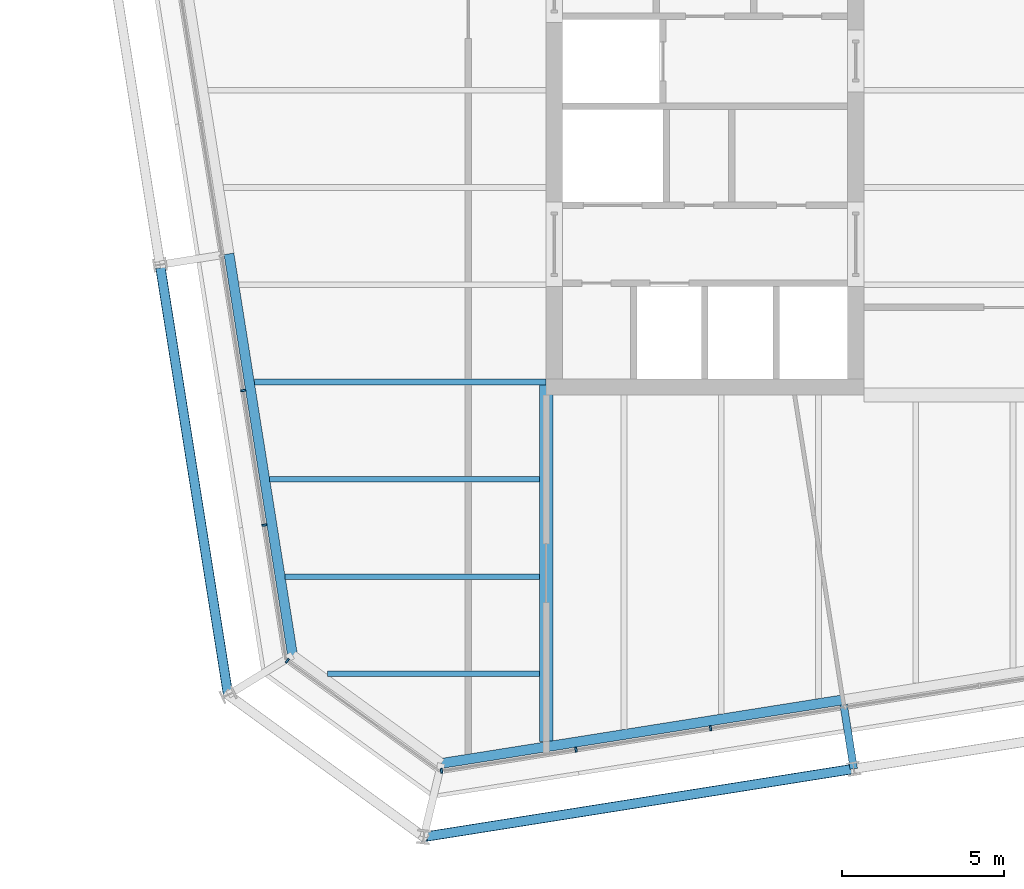
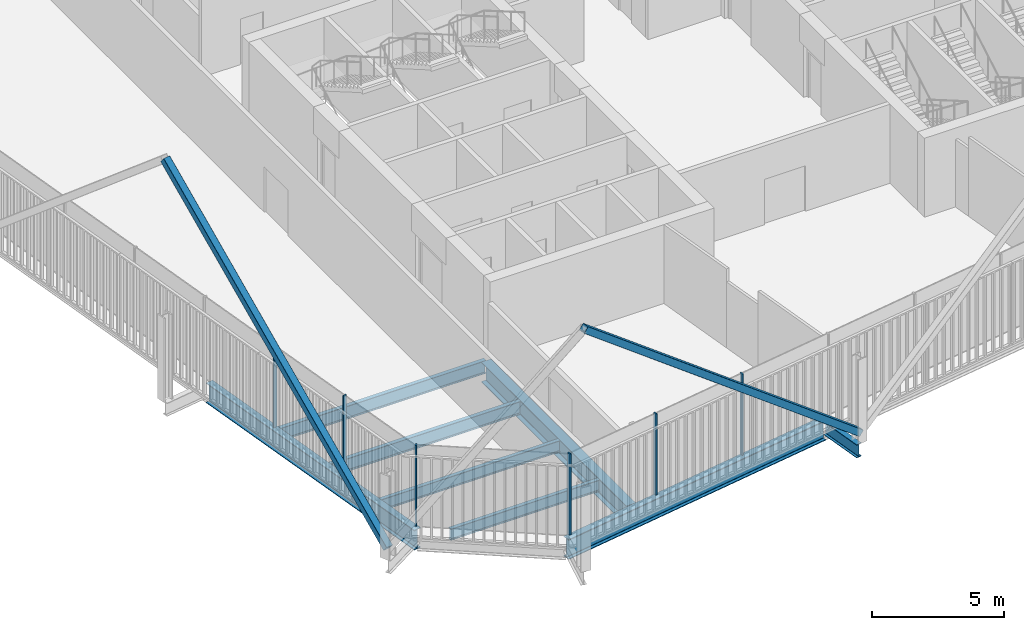
# One storey, part 2 of 21: 8 beams, 8 members, 3 elements without a shape of their own.
"""IFC4 building model written with IfcOpenShell, lengths in metres."""

from ifc_helpers import new_model, si_unit, direction, frame, origin, origin_2d, place, context, subcontext, project, spatial, rectangle, hollow_rectangle, i_section, extrude, material, layer, layer_set, material_profile, profile_set, type_object, element, aggregate, save


model = new_model("IFC4")

# Units and contexts
model_context = context("Model", 3, precision=1e-05, world=origin(), true_north=direction((0.0, 1.0)))
body_context = subcontext(model_context, "Body", "Model", "MODEL_VIEW")
ifc_project = project(units=[si_unit("LENGTHUNIT", "METRE"), si_unit("AREAUNIT", "SQUARE_METRE"), si_unit("VOLUMEUNIT", "CUBIC_METRE"), si_unit("PLANEANGLEUNIT", "RADIAN"), si_unit("MASSUNIT", "GRAM", prefix="KILO")], contexts=[model_context])

# Site, building, storey
site_placement = place(None, origin())
site = spatial("IfcSite", under=ifc_project, at=site_placement, CompositionType="ELEMENT")
building_placement = place(site_placement, origin())
building = spatial("IfcBuilding", under=site, at=building_placement, Name="Millrace Tower", CompositionType="ELEMENT")
storey_placement = place(building_placement, frame((0.0, 0.0, 235.89990234375)))
storey = spatial("IfcBuildingStorey", under=building, at=storey_placement, Name="L54", CompositionType="ELEMENT", Elevation=235.89990234375)

# Curtain wall, member
ifc_material_1 = material(Name="Aluminium and glass", Category="aluminium")
ifc_layer = layer(ifc_material_1, 0.14990234375)
ifc_layer_set = layer_set([ifc_layer], Name="Aluminium and glass")
curtain_wall_type = type_object("IfcCurtainWallType", Name="CW-1 office vision curtain wall", PredefinedType="NOTDEFINED", material=ifc_layer_set)
placement = place(storey_placement, origin())
curtain_wall_1 = element("IfcCurtainWall", 1, at=placement, inside=storey, type_object=curtain_wall_type, Name="Curtain wall D-F01 L54", PredefinedType="NOTDEFINED")
ifc_material_2 = material(Name="Aluminium", Category="aluminium")
ifc_material_profile_1 = material_profile(ifc_material_2, rectangle(XDim=0.06494140625, YDim=0.14990234375, at=origin_2d()))
ifc_profile_set_1 = profile_set([ifc_material_profile_1], Name="Aluminium")
member_type_1 = type_object("IfcMemberType", Name="CW-1 office vision curtain wall mullion", PredefinedType="MULLION", material=ifc_profile_set_1)
member_1_placement = place(storey_placement, frame((-22.3779296875, -17.594970703125, 0.14013671875), z_axis=(0.0, 0.0, 1.0), x_axis=(0.809016955361, -0.587785305991, 0.0)))
member_1 = element("IfcMember", 2, at=member_1_placement, type_object=member_type_1, Name="CW1 mullion D-F01.1", PredefinedType="MULLION", context=body_context, shape_type="SweptSolid", body=[
    extrude(rectangle(XDim=0.06494140625, YDim=0.14990234375, at=origin_2d()), origin(), (0.0, 0.0, 1.0), 3.760009765625),
])
aggregate(curtain_wall_1, [member_1])

# Curtain wall, members
curtain_wall_2 = element("IfcCurtainWall", 3, at=placement, inside=storey, type_object=curtain_wall_type, Name="Curtain wall D-F02 L54", PredefinedType="NOTDEFINED")
member_2_placement = place(storey_placement, frame((-17.62548828125, -20.992431640625, 0.14013671875), z_axis=(0.0, 0.0, 1.0), x_axis=(0.987688339511, 0.156434471884, 0.0)))
member_2 = element("IfcMember", 4, at=member_2_placement, type_object=member_type_1, Name="CW1 mullion D-F02.1", PredefinedType="MULLION", context=body_context, shape_type="SweptSolid", body=[
    extrude(rectangle(XDim=0.06494140625, YDim=0.14990234375, at=origin_2d()), origin(), (0.0, 0.0, 1.0), 3.760009765625),
])
member_3_placement = place(storey_placement, frame((-13.477294921875, -20.33544921875, 0.14013671875), z_axis=(0.0, 0.0, 1.0), x_axis=(0.987688339511, 0.156434471884, 0.0)))
member_3 = element("IfcMember", 5, at=member_3_placement, type_object=member_type_1, Name="CW1 mullion D-F02.2", PredefinedType="MULLION", context=body_context, shape_type="SweptSolid", body=[
    extrude(rectangle(XDim=0.06494140625, YDim=0.14990234375, at=origin_2d()), origin(), (0.0, 0.0, 1.0), 3.760009765625),
])
member_4_placement = place(storey_placement, frame((-9.328857421875, -19.678466796875, 0.14013671875), z_axis=(0.0, 0.0, 1.0), x_axis=(0.987688339511, 0.156434471884, 0.0)))
member_4 = element("IfcMember", 6, at=member_4_placement, type_object=member_type_1, Name="CW1 mullion D-F02.3", PredefinedType="MULLION", context=body_context, shape_type="SweptSolid", body=[
    extrude(rectangle(XDim=0.06494140625, YDim=0.14990234375, at=origin_2d()), origin(), (0.0, 0.0, 1.0), 3.760009765625),
])
aggregate(curtain_wall_2, [member_2, member_3, member_4])

curtain_wall_3 = element("IfcCurtainWall", 7, at=placement, inside=storey, type_object=curtain_wall_type, Name="Curtain wall D-F08 L54", PredefinedType="NOTDEFINED")
member_5_placement = place(storey_placement, frame((-23.7431640625, -9.262451171875, 0.14013671875), z_axis=(0.0, 0.0, 1.0), x_axis=(0.156434471884, -0.987688339511, 0.0)))
member_5 = element("IfcMember", 8, at=member_5_placement, type_object=member_type_1, Name="CW1 mullion D-F08.8", PredefinedType="MULLION", context=body_context, shape_type="SweptSolid", body=[
    extrude(rectangle(XDim=0.06494140625, YDim=0.14990234375, at=origin_2d()), origin(), (0.0, 0.0, 1.0), 3.760009765625),
])
member_6_placement = place(storey_placement, frame((-23.086181640625, -13.410888671875, 0.14013671875), z_axis=(0.0, 0.0, 1.0), x_axis=(0.156434471884, -0.987688339511, 0.0)))
member_6 = element("IfcMember", 9, at=member_6_placement, type_object=member_type_1, Name="CW1 mullion D-F08.9", PredefinedType="MULLION", context=body_context, shape_type="SweptSolid", body=[
    extrude(rectangle(XDim=0.06494140625, YDim=0.14990234375, at=origin_2d()), origin(), (0.0, 0.0, 1.0), 3.760009765625),
])
aggregate(curtain_wall_3, [member_5, member_6])

# Members
ifc_material_3 = material(Name="Steel ASTM A500 Grade C", Category="steel")
ifc_material_profile_2 = material_profile(ifc_material_3, hollow_rectangle(XDim=0.3046875, YDim=0.3046875, WallThickness=0.009521484375, InnerFilletRadius=0.004638671875, OuterFilletRadius=0.014404296875, at=origin_2d()))
ifc_profile_set_2 = profile_set([ifc_material_profile_2], Name="Steel ASTM A500 Grade C")
member_type_2 = type_object("IfcMemberType", Name="Exoskeleton brace HSS12x12x3/8", PredefinedType="BRACE", material=ifc_profile_set_2)
member_7_placement = place(storey_placement, frame((-4.91162109375, -20.927734375, 0.400146484375), z_axis=(-0.772450941051, -0.122340872468, 0.623179151283), x_axis=(0.156430301989, -0.987688999949, 0.0)))
element("IfcMember", 10, at=member_7_placement, inside=storey, type_object=member_type_2, Name="BRC-D-L54-02", PredefinedType="BRACE", context=body_context, shape_type="SweptSolid", body=[
    extrude(hollow_rectangle(XDim=0.3046875, YDim=0.3046875, WallThickness=0.009521484375, InnerFilletRadius=0.004638671875, OuterFilletRadius=0.014404296875, at=origin_2d()), origin(), (0.0, 0.0, 1.0), 17.169921875),
])
member_8_placement = place(storey_placement, frame((-24.2060546875, -18.646484375, 0.400146484375), z_axis=(-0.122339528742, 0.772456675785, 0.623172306623), x_axis=(-0.987689444837, -0.156427492975, 0.0)))
element("IfcMember", 11, at=member_8_placement, inside=storey, type_object=member_type_2, Name="BRC-D-L54-16", PredefinedType="BRACE", context=body_context, shape_type="SweptSolid", body=[
    extrude(hollow_rectangle(XDim=0.3046875, YDim=0.3046875, WallThickness=0.009521484375, InnerFilletRadius=0.004638671875, OuterFilletRadius=0.014404296875, at=origin_2d()), origin(), (0.0, 0.0, 1.0), 17.170166015625),
])

# Beams
ifc_material_4 = material(Name="Steel ASTM A992 Grade 50", Category="steel")
ifc_material_profile_3 = material_profile(ifc_material_4, i_section(OverallWidth=0.1650390625, OverallDepth=0.52587890625, WebThickness=0.0087890625, FlangeThickness=0.011474609375, FilletRadius=0.0126953125, at=origin_2d()))
ifc_profile_set_3 = profile_set([ifc_material_profile_3], Name="Steel ASTM A992 Grade 50")
beam_type_1 = type_object("IfcBeamType", Name="Floor beam W21x44", PredefinedType="JOIST", material=ifc_profile_set_3)
beam_1_placement = place(storey_placement, frame((-22.447509765625, -15.0, -0.4228515625), z_axis=(1.0, 0.0, 0.0), x_axis=(0.0, 1.0, 0.0)))
element("IfcBeam", 12, at=beam_1_placement, inside=storey, type_object=beam_type_1, Name="BM-D-L54-S1-S002", PredefinedType="JOIST", context=body_context, shape_type="SweptSolid", body=[
    extrude(i_section(OverallWidth=0.1650390625, OverallDepth=0.52587890625, WebThickness=0.0087890625, FlangeThickness=0.011474609375, FilletRadius=0.0126953125, at=origin_2d()), origin(), (0.0, 0.0, 1.0), 7.837890625),
])
beam_2_placement = place(storey_placement, frame((-21.13427734375, -18.0, -0.4228515625), z_axis=(1.0, 0.0, 0.0), x_axis=(0.0, 1.0, 0.0)))
element("IfcBeam", 13, at=beam_2_placement, inside=storey, type_object=beam_type_1, Name="BM-D-L54-S1-S001", PredefinedType="JOIST", context=body_context, shape_type="SweptSolid", body=[
    extrude(i_section(OverallWidth=0.1650390625, OverallDepth=0.52587890625, WebThickness=0.0087890625, FlangeThickness=0.011474609375, FilletRadius=0.0126953125, at=origin_2d()), origin(), (0.0, 0.0, 1.0), 6.524658203125),
])
ifc_material_5 = material(Name="Steel ASTM A992 Grade 50", Category="steel")
ifc_material_profile_4 = material_profile(ifc_material_5, i_section(OverallWidth=0.177978515625, OverallDepth=0.599365234375, WebThickness=0.010009765625, FlangeThickness=0.012939453125, FilletRadius=0.012939453125, at=origin_2d()))
ifc_profile_set_4 = profile_set([ifc_material_profile_4], Name="Steel ASTM A992 Grade 50")
beam_type_2 = type_object("IfcBeamType", Name="Floor beam W24x55", PredefinedType="JOIST", material=ifc_profile_set_4)
beam_3_placement = place(storey_placement, frame((-22.922607421875, -12.0, -0.459716796875), z_axis=(1.0, 0.0, 0.0), x_axis=(0.0, 1.0, 0.0)))
element("IfcBeam", 14, at=beam_3_placement, inside=storey, type_object=beam_type_2, Name="BM-D-L54-S1-S004", PredefinedType="JOIST", context=body_context, shape_type="SweptSolid", body=[
    extrude(i_section(OverallWidth=0.177978515625, OverallDepth=0.599365234375, WebThickness=0.010009765625, FlangeThickness=0.012939453125, FilletRadius=0.012939453125, at=origin_2d()), origin(), (0.0, 0.0, 1.0), 8.31298828125),
])
beam_4_placement = place(storey_placement, frame((-23.397705078125, -9.0, -0.459716796875), z_axis=(1.0, 0.0, 0.0), x_axis=(0.0, 1.0, 0.0)))
element("IfcBeam", 15, at=beam_4_placement, inside=storey, type_object=beam_type_2, Name="BM-D-L54-S1-S006", PredefinedType="JOIST", context=body_context, shape_type="SweptSolid", body=[
    extrude(i_section(OverallWidth=0.177978515625, OverallDepth=0.599365234375, WebThickness=0.010009765625, FlangeThickness=0.012939453125, FilletRadius=0.012939453125, at=origin_2d()), origin(), (0.0, 0.0, 1.0), 8.997802734375),
])
ifc_material_6 = material(Name="Steel ASTM A992 Grade 50", Category="steel")
ifc_material_profile_5 = material_profile(ifc_material_6, i_section(OverallWidth=0.419189453125, OverallDepth=0.927001953125, WebThickness=0.019287109375, FlangeThickness=0.031982421875, FilletRadius=0.024169921875, at=origin_2d()))
ifc_profile_set_5 = profile_set([ifc_material_profile_5], Name="Steel ASTM A992 Grade 50")
beam_type_3 = type_object("IfcBeamType", Name="Girder short span W36x231", PredefinedType="BEAM", material=ifc_profile_set_5)
beam_5_placement = place(storey_placement, frame((-14.39990234375, -20.08642578125, -0.62353515625), z_axis=(0.0, 1.0, 0.0), x_axis=(-1.0, 0.0, 0.0)))
element("IfcBeam", 16, at=beam_5_placement, inside=storey, type_object=beam_type_3, Name="BM-D-L54-S1-G055", PredefinedType="BEAM", context=body_context, shape_type="SweptSolid", body=[
    extrude(i_section(OverallWidth=0.419189453125, OverallDepth=0.927001953125, WebThickness=0.019287109375, FlangeThickness=0.031982421875, FilletRadius=0.024169921875, at=origin_2d()), origin(), (0.0, 0.0, 1.0), 10.994384765625),
])
ifc_material_7 = material(Name="Steel ASTM A992 Grade 50", Category="steel")
ifc_material_profile_6 = material_profile(ifc_material_7, i_section(OverallWidth=0.23046875, OverallDepth=0.6171875, WebThickness=0.01318359375, FlangeThickness=0.022216796875, FilletRadius=0.012939453125, at=origin_2d()))
ifc_profile_set_6 = profile_set([ifc_material_profile_6], Name="Steel ASTM A992 Grade 50")
beam_type_4 = type_object("IfcBeamType", Name="Link beam W24x94", PredefinedType="BEAM", material=ifc_profile_set_6)
beam_6_placement = place(storey_placement, frame((-5.224365234375, -18.952392578125, -0.468505859375), z_axis=(0.15637629034, -0.987697552806, 0.0), x_axis=(0.987697552806, 0.15637629034, 0.0)))
element("IfcBeam", 17, at=beam_6_placement, inside=storey, type_object=beam_type_4, Name="LNK-D-L54-S1-15", PredefinedType="BEAM", context=body_context, shape_type="SweptSolid", body=[
    extrude(i_section(OverallWidth=0.23046875, OverallDepth=0.6171875, WebThickness=0.01318359375, FlangeThickness=0.022216796875, FilletRadius=0.012939453125, at=origin_2d()), origin(), (0.0, 0.0, 1.0), 2.0),
])
ifc_material_8 = material(Name="Steel ASTM A992 Grade 50", Category="steel")
ifc_material_profile_7 = material_profile(ifc_material_8, i_section(OverallWidth=0.307373046875, OverallDepth=0.927001953125, WebThickness=0.01953125, FlangeThickness=0.031982421875, FilletRadius=0.01904296875, at=origin_2d()))
ifc_profile_set_7 = profile_set([ifc_material_profile_7], Name="Steel ASTM A992 Grade 50")
beam_type_5 = type_object("IfcBeamType", Name="Ring beam medium span W36x194", PredefinedType="SPANDREL", material=ifc_profile_set_7)
beam_7_placement = place(storey_placement, frame((-22.218505859375, -17.428466796875, -0.62353515625), z_axis=(-0.156419577072, 0.987690698503, 0.0), x_axis=(-0.987690698503, -0.156419577072, 0.0)))
element("IfcBeam", 18, at=beam_7_placement, inside=storey, type_object=beam_type_5, Name="RNG-D-L54-S1-01", PredefinedType="SPANDREL", context=body_context, shape_type="SweptSolid", body=[
    extrude(i_section(OverallWidth=0.307373046875, OverallDepth=0.927001953125, WebThickness=0.01953125, FlangeThickness=0.031982421875, FilletRadius=0.01904296875, at=origin_2d()), origin(), (0.0, 0.0, 1.0), 12.536376953125),
])
beam_8_placement = place(storey_placement, frame((-5.24853515625, -18.800537109375, -0.62353515625), z_axis=(-0.987687213011, -0.156441584157, 0.0), x_axis=(0.156441584157, -0.987687213011, 0.0)))
element("IfcBeam", 19, at=beam_8_placement, inside=storey, type_object=beam_type_5, Name="RNG-D-L54-S1-15", PredefinedType="SPANDREL", context=body_context, shape_type="SweptSolid", body=[
    extrude(i_section(OverallWidth=0.307373046875, OverallDepth=0.927001953125, WebThickness=0.01953125, FlangeThickness=0.031982421875, FilletRadius=0.01904296875, at=origin_2d()), origin(), (0.0, 0.0, 1.0), 12.5361328125),
])

save(model, "model.ifc")
